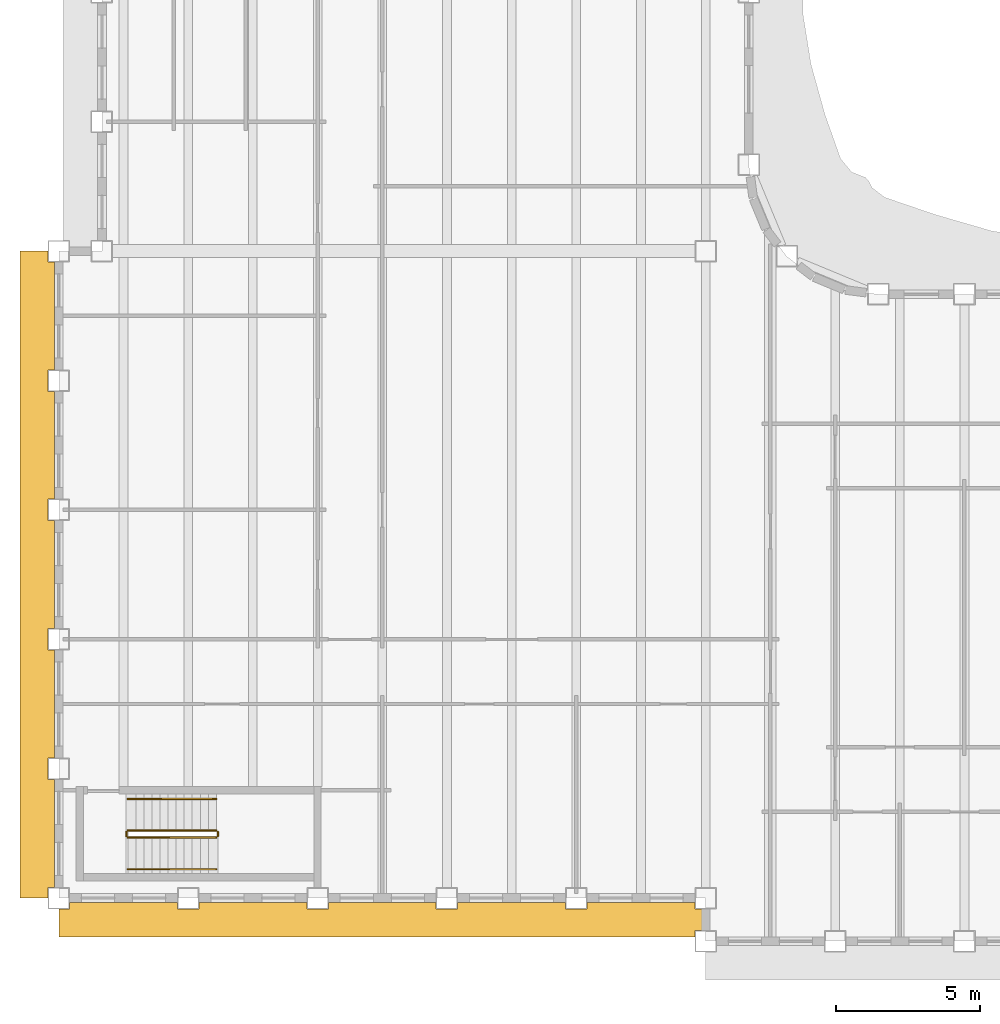
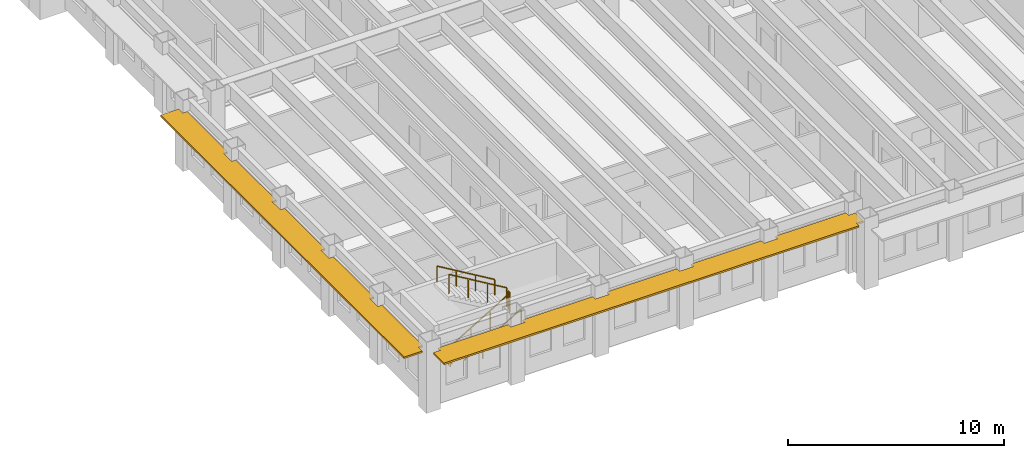
# One storey, part 12 of 17: 6 railings, 2 shading devices.
"""IFC4 building model written with IfcOpenShell, lengths in metres."""

from ifc_helpers import new_model, si_unit, direction, frame, origin, origin_2d, place, context, subcontext, project, spatial, polyline, rectangle, outline, extrude, material, layer, layer_set, type_object, element, save


model = new_model("IFC4")

# Units and contexts
model_context = context("Model", 3, precision=1e-05, world=origin(), true_north=direction((0.0, 1.0)))
body_context = subcontext(model_context, "Body", "Model", "MODEL_VIEW")
ifc_project = project(units=[si_unit("LENGTHUNIT", "METRE"), si_unit("AREAUNIT", "SQUARE_METRE"), si_unit("VOLUMEUNIT", "CUBIC_METRE"), si_unit("PLANEANGLEUNIT", "RADIAN"), si_unit("MASSUNIT", "GRAM", prefix="KILO")], contexts=[model_context])

# Site, building, storey
site_placement = place(None, origin())
site = spatial("IfcSite", under=ifc_project, at=site_placement, CompositionType="ELEMENT")
building_placement = place(site_placement, origin())
building = spatial("IfcBuilding", under=site, at=building_placement, Name="Sennacour Bend Tower", CompositionType="ELEMENT")
storey_placement = place(building_placement, frame((0.0, 0.0, 215.0)))
storey = spatial("IfcBuildingStorey", under=building, at=storey_placement, Name="L49", CompositionType="ELEMENT", Elevation=215.0)

# Railings
ifc_material_1 = material(Name="Stainless steel", Category="steel")
railing_type_1 = type_object("IfcRailingType", Name="RL-GUARD-1100", PredefinedType="GUARDRAIL", material=ifc_material_1)
railing_1_placement = place(storey_placement, frame((2.39990234375, 2.10009765625, 0.166748046875)))
element("IfcRailing", 1, at=railing_1_placement, inside=storey, type_object=railing_type_1, Name="L49 SK1 stair guard 1", PredefinedType="GUARDRAIL", context=body_context, shape_type="SweptSolid", body=[
    extrude(rectangle(XDim=0.048095703125, YDim=0.048095703125, at=origin_2d()), frame((0.0, 0.0, 1.076171875), z_axis=(0.859308565015, 0.0, 0.511457515432), x_axis=(0.0, 1.0, 0.0)), (0.0, 0.0, 1.0), 3.58447265625),
    extrude(rectangle(XDim=0.0419921875, YDim=0.0419921875, at=origin_2d()), origin(), (0.0, 0.0, 1.0), 1.052001953125),
    extrude(rectangle(XDim=0.0419921875, YDim=0.0419921875, at=origin_2d()), frame((1.026611328125, 0.0, 0.611083984375)), (0.0, 0.0, 1.0), 1.052001953125),
    extrude(rectangle(XDim=0.0419921875, YDim=0.0419921875, at=origin_2d()), frame((2.053466796875, 0.0, 1.22216796875)), (0.0, 0.0, 1.0), 1.052001953125),
    extrude(rectangle(XDim=0.0419921875, YDim=0.0419921875, at=origin_2d()), frame((3.080078125, 0.0, 1.833251953125)), (0.0, 0.0, 1.0), 1.052001953125),
])
railing_2_placement = place(storey_placement, frame((5.530029296875, 2.14990234375, 2.0)))
element("IfcRailing", 2, at=railing_2_placement, inside=storey, type_object=railing_type_1, Name="L49 SK1 stair guard 2", PredefinedType="GUARDRAIL", context=body_context, shape_type="SweptSolid", body=[
    extrude(rectangle(XDim=0.048095703125, YDim=0.048095703125, at=origin_2d()), frame((0.0, 0.0, 1.076171875), z_axis=(0.0, 1.0, 0.0), x_axis=(-1.0, 0.0, 0.0)), (0.0, 0.0, 1.0), 0.150146484375),
    extrude(rectangle(XDim=0.0419921875, YDim=0.0419921875, at=origin_2d()), origin(), (0.0, 0.0, 1.0), 1.052001953125),
    extrude(rectangle(XDim=0.0419921875, YDim=0.0419921875, at=origin_2d()), frame((0.0, 0.150146484375, 0.0)), (0.0, 0.0, 1.0), 1.052001953125),
])
railing_3_placement = place(storey_placement, frame((5.47998046875, 2.35009765625, 2.166748046875)))
element("IfcRailing", 3, at=railing_3_placement, inside=storey, type_object=railing_type_1, Name="L49 SK1 stair guard 3", PredefinedType="GUARDRAIL", context=body_context, shape_type="SweptSolid", body=[
    extrude(rectangle(XDim=0.048095703125, YDim=0.048095703125, at=origin_2d()), frame((0.0, 0.0, 1.076171875), z_axis=(-0.859308565015, 0.0, 0.511457515432), x_axis=(0.0, -1.0, 0.0)), (0.0, 0.0, 1.0), 3.58447265625),
    extrude(rectangle(XDim=0.0419921875, YDim=0.0419921875, at=origin_2d()), origin(), (0.0, 0.0, 1.0), 1.052001953125),
    extrude(rectangle(XDim=0.0419921875, YDim=0.0419921875, at=origin_2d()), frame((-1.026611328125, 0.0, 0.611083984375)), (0.0, 0.0, 1.0), 1.052001953125),
    extrude(rectangle(XDim=0.0419921875, YDim=0.0419921875, at=origin_2d()), frame((-2.053466796875, 0.0, 1.22216796875)), (0.0, 0.0, 1.0), 1.052001953125),
    extrude(rectangle(XDim=0.0419921875, YDim=0.0419921875, at=origin_2d()), frame((-3.080078125, 0.0, 1.833251953125)), (0.0, 0.0, 1.0), 1.052001953125),
])
railing_4_placement = place(storey_placement, frame((2.35009765625, 2.14990234375, 0.0)))
element("IfcRailing", 4, at=railing_4_placement, inside=storey, type_object=railing_type_1, Name="L49 SK1 stair guard 4", PredefinedType="GUARDRAIL", context=body_context, shape_type="SweptSolid", body=[
    extrude(rectangle(XDim=0.048095703125, YDim=0.048095703125, at=origin_2d()), frame((0.0, 0.0, 1.076171875), z_axis=(0.0, 1.0, 0.0), x_axis=(-1.0, 0.0, 0.0)), (0.0, 0.0, 1.0), 0.150146484375),
    extrude(rectangle(XDim=0.0419921875, YDim=0.0419921875, at=origin_2d()), origin(), (0.0, 0.0, 1.0), 1.052001953125),
    extrude(rectangle(XDim=0.0419921875, YDim=0.0419921875, at=origin_2d()), frame((0.0, 0.150146484375, 0.0)), (0.0, 0.0, 1.0), 1.052001953125),
])
railing_type_2 = type_object("IfcRailingType", Name="RL-HANDRAIL-900", PredefinedType="HANDRAIL", material=ifc_material_1)
railing_5_placement = place(storey_placement, frame((2.39990234375, 1.0, 0.166748046875)))
element("IfcRailing", 5, at=railing_5_placement, inside=storey, type_object=railing_type_2, Name="L49 SK1 stair handrail 1", PredefinedType="HANDRAIL", context=body_context, shape_type="SweptSolid", body=[
    extrude(rectangle(XDim=0.048095703125, YDim=0.048095703125, at=origin_2d()), frame((0.0, 0.0, 0.8759765625), z_axis=(0.859308565015, 0.0, 0.511457515432), x_axis=(0.0, 1.0, 0.0)), (0.0, 0.0, 1.0), 3.58447265625),
    extrude(rectangle(XDim=0.0419921875, YDim=0.0419921875, at=origin_2d()), origin(), (0.0, 0.0, 1.0), 0.851806640625),
    extrude(rectangle(XDim=0.0419921875, YDim=0.0419921875, at=origin_2d()), frame((1.026611328125, 0.0, 0.611083984375)), (0.0, 0.0, 1.0), 0.851806640625),
    extrude(rectangle(XDim=0.0419921875, YDim=0.0419921875, at=origin_2d()), frame((2.053466796875, 0.0, 1.22216796875)), (0.0, 0.0, 1.0), 0.851806640625),
    extrude(rectangle(XDim=0.0419921875, YDim=0.0419921875, at=origin_2d()), frame((3.080078125, 0.0, 1.833251953125)), (0.0, 0.0, 1.0), 0.851806640625),
])
railing_6_placement = place(storey_placement, frame((5.47998046875, 3.449951171875, 2.166748046875)))
element("IfcRailing", 6, at=railing_6_placement, inside=storey, type_object=railing_type_2, Name="L49 SK1 stair handrail 2", PredefinedType="HANDRAIL", context=body_context, shape_type="SweptSolid", body=[
    extrude(rectangle(XDim=0.048095703125, YDim=0.048095703125, at=origin_2d()), frame((0.0, 0.0, 0.8759765625), z_axis=(-0.859308565015, 0.0, 0.511457515432), x_axis=(0.0, -1.0, 0.0)), (0.0, 0.0, 1.0), 3.58447265625),
    extrude(rectangle(XDim=0.0419921875, YDim=0.0419921875, at=origin_2d()), origin(), (0.0, 0.0, 1.0), 0.851806640625),
    extrude(rectangle(XDim=0.0419921875, YDim=0.0419921875, at=origin_2d()), frame((-1.026611328125, 0.0, 0.611083984375)), (0.0, 0.0, 1.0), 0.851806640625),
    extrude(rectangle(XDim=0.0419921875, YDim=0.0419921875, at=origin_2d()), frame((-2.053466796875, 0.0, 1.22216796875)), (0.0, 0.0, 1.0), 0.851806640625),
    extrude(rectangle(XDim=0.0419921875, YDim=0.0419921875, at=origin_2d()), frame((-3.080078125, 0.0, 1.833251953125)), (0.0, 0.0, 1.0), 0.851806640625),
])

# Shading devices
ifc_material_2 = material(Name="Bronze anodised aluminium", Category="aluminium")
ifc_layer = layer(ifc_material_2, 0.10009765625, Name="Bronze anodised aluminium", Category="aluminium")
ifc_layer_set = layer_set([ifc_layer], Name="Bronze anodised aluminium")
shading_device_type = type_object("IfcShadingDeviceType", Name="SUNSHADE BAND STRAIGHT", PredefinedType="USERDEFINED", material=ifc_layer_set)
shading_device_1_placement = place(storey_placement, frame((0.0, 0.0, 3.056884765625)))
element("IfcShadingDevice", 7, at=shading_device_1_placement, inside=storey, type_object=shading_device_type, Name="Sunshade band L49 K outer face", ObjectType="SUNSHADE", PredefinedType="USERDEFINED", context=body_context, shape_type="SweptSolid", body=[
    extrude(outline(polyline([(-0.14990234375, 18.375), (-0.375, 18.375), (-0.375, 17.625), (-0.14990234375, 17.625), (-0.14990234375, 13.875), (-0.375, 13.875), (-0.375, 13.125), (-0.14990234375, 13.125), (-0.14990234375, 9.375), (-0.375, 9.375), (-0.375, 8.625), (-0.14990234375, 8.625), (-0.14990234375, 4.875), (-0.375, 4.875), (-0.375, 4.125), (-0.14990234375, 4.125), (-0.14990234375, 0.375), (-0.375, 0.375), (-0.375, 0.0), (-1.35009765625, 0.0), (-1.35009765625, 22.5), (-0.375, 22.5), (-0.375, 22.125), (-0.14990234375, 22.125), (-0.14990234375, 18.375)])), origin(), (0.0, 0.0, 1.0), 0.10009765625),
])
shading_device_2_placement = place(storey_placement, frame((0.0, 0.0, 3.056884765625)))
element("IfcShadingDevice", 8, at=shading_device_2_placement, inside=storey, type_object=shading_device_type, Name="Sunshade band L49 K outer face", ObjectType="SUNSHADE", PredefinedType="USERDEFINED", context=body_context, shape_type="SweptSolid", body=[
    extrude(outline(polyline([(4.125, -0.14990234375), (4.125, -0.375), (4.875, -0.375), (4.875, -0.14990234375), (8.625, -0.14990234375), (8.625, -0.375), (9.375, -0.375), (9.375, -0.14990234375), (13.125, -0.14990234375), (13.125, -0.375), (13.875, -0.375), (13.875, -0.14990234375), (17.625, -0.14990234375), (17.625, -0.375), (18.375, -0.375), (18.375, -0.14990234375), (22.125, -0.14990234375), (22.125, -0.375), (22.5, -0.375), (22.5, -1.125), (22.125, -1.125), (22.125, -1.35009765625), (0.0, -1.35009765625), (0.0, -0.375), (0.375, -0.375), (0.375, -0.14990234375), (4.125, -0.14990234375)])), origin(), (0.0, 0.0, 1.0), 0.10009765625),
])

save(model, "model.ifc")
